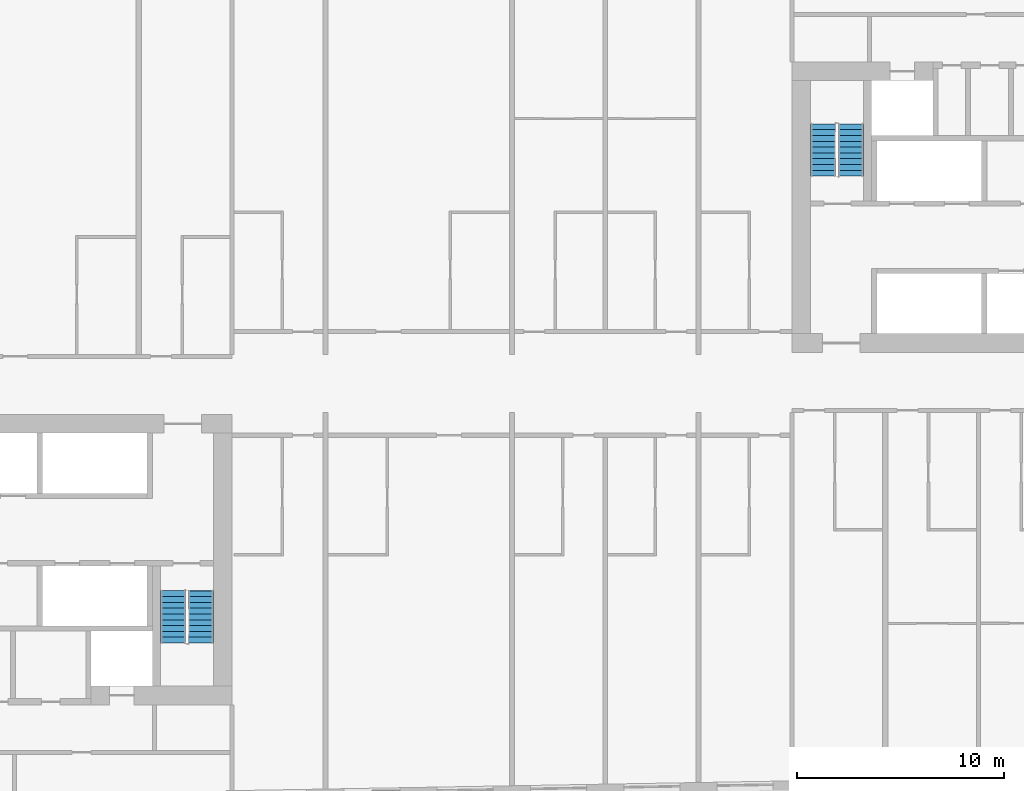
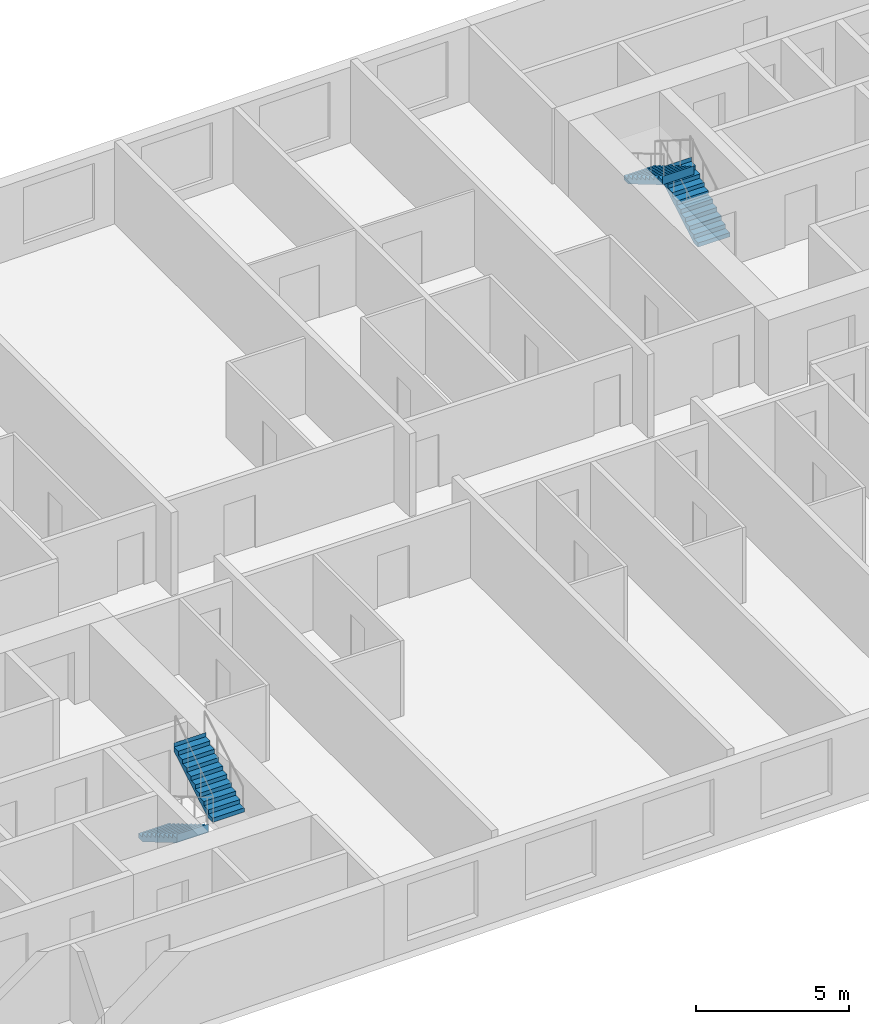
# One storey, part 10 of 12: 4 stair flights, 2 elements without a shape of their own.
"""IFC4 building model written with IfcOpenShell, lengths in metres."""

from ifc_helpers import new_model, si_unit, direction, frame, origin, place, context, subcontext, project, spatial, faceted_brep, material, type_object, element, aggregate, save


model = new_model("IFC4")

# Units and contexts
model_context = context("Model", 3, precision=1e-05, world=origin(), true_north=direction((0.0, 1.0)))
body_context = subcontext(model_context, "Body", "Model", "MODEL_VIEW")
ifc_project = project(units=[si_unit("LENGTHUNIT", "METRE"), si_unit("AREAUNIT", "SQUARE_METRE"), si_unit("VOLUMEUNIT", "CUBIC_METRE"), si_unit("PLANEANGLEUNIT", "RADIAN"), si_unit("MASSUNIT", "GRAM", prefix="KILO")], contexts=[model_context])

# Site, building, storey
site_placement = place(None, origin())
site = spatial("IfcSite", under=ifc_project, at=site_placement, CompositionType="ELEMENT")
building_placement = place(site_placement, origin())
building = spatial("IfcBuilding", under=site, at=building_placement, Name="Kajstack Hotel Tower", CompositionType="ELEMENT")
storey_placement = place(building_placement, frame((0.0, 0.0, 234.199951171875)))
storey = spatial("IfcBuildingStorey", under=building, at=storey_placement, Name="L57", CompositionType="ELEMENT", Elevation=234.199951171875)

# Stair, stair flights
ifc_material = material(Name="Concrete C40/50", Category="concrete")
stair_type = type_object("IfcStairType", Name="Exit stair 1200", PredefinedType="HALF_TURN_STAIR", material=ifc_material)
stair_1_placement = place(storey_placement, origin())
stair_1 = element("IfcStair", 1, at=stair_1_placement, inside=storey, type_object=stair_type, Name="L57 stair W2", PredefinedType="HALF_TURN_STAIR")
stair_flight_type = type_object("IfcStairFlightType", Name="Exit stair flight 1200", PredefinedType="STRAIGHT", material=ifc_material)
stair_flight_1_placement = place(storey_placement, frame((-16.35009765625, -10.0, 0.0), z_axis=(0.0, 0.0, 1.0), x_axis=(0.0, -1.0, 0.0)))
stair_flight_1 = element("IfcStairFlight", 2, at=stair_flight_1_placement, type_object=stair_flight_type, Name="W2 flight 1", NumberOfRisers=10, NumberOfTreads=9, PredefinedType="STRAIGHT", RiserHeight=0.165, TreadLength=0.28, context=body_context, shape_type="Brep", body=[
    faceted_brep([(0.295654296875, -0.60009765625, 0.0), (2.5205078125, -0.60009765625, 1.31103515625), (2.5205078125, -0.60009765625, 1.64990234375), (2.52001953125, -0.60009765625, 1.64990234375), (2.52001953125, -0.60009765625, 1.485107421875), (2.239990234375, -0.60009765625, 1.485107421875), (2.239990234375, -0.60009765625, 1.320068359375), (1.9599609375, -0.60009765625, 1.320068359375), (1.9599609375, -0.60009765625, 1.155029296875), (1.679931640625, -0.60009765625, 1.155029296875), (1.679931640625, -0.60009765625, 0.989990234375), (1.39990234375, -0.60009765625, 0.989990234375), (1.39990234375, -0.60009765625, 0.824951171875), (1.1201171875, -0.60009765625, 0.824951171875), (1.1201171875, -0.60009765625, 0.659912109375), (0.840087890625, -0.60009765625, 0.659912109375), (0.840087890625, -0.60009765625, 0.4951171875), (0.56005859375, -0.60009765625, 0.4951171875), (0.56005859375, -0.60009765625, 0.330078125), (0.280029296875, -0.60009765625, 0.330078125), (0.280029296875, -0.60009765625, 0.1650390625), (-0.00048828125, -0.60009765625, 0.1650390625), (-0.00048828125, -0.60009765625, 0.0), (-0.00048828125, 0.60009765625, 0.0), (-0.00048828125, 0.60009765625, 0.1650390625), (0.280029296875, 0.60009765625, 0.1650390625), (0.280029296875, 0.60009765625, 0.330078125), (0.56005859375, 0.60009765625, 0.330078125), (0.56005859375, 0.60009765625, 0.4951171875), (0.840087890625, 0.60009765625, 0.4951171875), (0.840087890625, 0.60009765625, 0.659912109375), (1.1201171875, 0.60009765625, 0.659912109375), (1.1201171875, 0.60009765625, 0.824951171875), (1.39990234375, 0.60009765625, 0.824951171875), (1.39990234375, 0.60009765625, 0.989990234375), (1.679931640625, 0.60009765625, 0.989990234375), (1.679931640625, 0.60009765625, 1.155029296875), (1.9599609375, 0.60009765625, 1.155029296875), (1.9599609375, 0.60009765625, 1.320068359375), (2.239990234375, 0.60009765625, 1.320068359375), (2.239990234375, 0.60009765625, 1.485107421875), (2.52001953125, 0.60009765625, 1.485107421875), (2.52001953125, 0.60009765625, 1.64990234375), (2.5205078125, 0.60009765625, 1.64990234375), (2.5205078125, 0.60009765625, 1.31103515625), (0.295654296875, 0.60009765625, 0.0), (-0.00048828125, -0.300048828125, 0.1650390625), (-0.00048828125, 0.0, 0.1650390625), (-0.00048828125, 0.300048828125, 0.1650390625), (-0.00048828125, 0.300048828125, 0.0), (-0.00048828125, 0.0, 0.0), (-0.00048828125, -0.300048828125, 0.0), (0.280029296875, -0.300048828125, 0.1650390625), (0.280029296875, 0.0, 0.1650390625), (0.280029296875, 0.300048828125, 0.1650390625), (0.280029296875, -0.300048828125, 0.330078125), (0.280029296875, 0.0, 0.330078125), (0.280029296875, 0.300048828125, 0.330078125), (0.56005859375, -0.300048828125, 0.330078125), (0.56005859375, 0.0, 0.330078125), (0.56005859375, 0.300048828125, 0.330078125), (0.56005859375, -0.300048828125, 0.4951171875), (0.56005859375, 0.0, 0.4951171875), (0.56005859375, 0.300048828125, 0.4951171875), (0.840087890625, -0.300048828125, 0.4951171875), (0.840087890625, 0.0, 0.4951171875), (0.840087890625, 0.300048828125, 0.4951171875), (0.840087890625, -0.300048828125, 0.659912109375), (0.840087890625, 0.0, 0.659912109375), (0.840087890625, 0.300048828125, 0.659912109375), (1.1201171875, -0.300048828125, 0.659912109375), (1.1201171875, 0.0, 0.659912109375), (1.1201171875, 0.300048828125, 0.659912109375), (1.1201171875, -0.300048828125, 0.824951171875), (1.1201171875, 0.0, 0.824951171875), (1.1201171875, 0.300048828125, 0.824951171875), (1.39990234375, -0.300048828125, 0.824951171875), (1.39990234375, 0.0, 0.824951171875), (1.39990234375, 0.300048828125, 0.824951171875), (1.39990234375, -0.300048828125, 0.989990234375), (1.39990234375, 0.0, 0.989990234375), (1.39990234375, 0.300048828125, 0.989990234375), (1.679931640625, -0.300048828125, 0.989990234375), (1.679931640625, 0.0, 0.989990234375), (1.679931640625, 0.300048828125, 0.989990234375), (1.679931640625, -0.300048828125, 1.155029296875), (1.679931640625, 0.0, 1.155029296875), (1.679931640625, 0.300048828125, 1.155029296875), (1.9599609375, -0.300048828125, 1.155029296875), (1.9599609375, 0.0, 1.155029296875), (1.9599609375, 0.300048828125, 1.155029296875), (1.9599609375, -0.300048828125, 1.320068359375), (1.9599609375, 0.0, 1.320068359375), (1.9599609375, 0.300048828125, 1.320068359375), (2.239990234375, -0.300048828125, 1.320068359375), (2.239990234375, 0.0, 1.320068359375), (2.239990234375, 0.300048828125, 1.320068359375), (2.239990234375, -0.300048828125, 1.485107421875), (2.239990234375, 0.0, 1.485107421875), (2.239990234375, 0.300048828125, 1.485107421875), (2.52001953125, -0.300048828125, 1.485107421875), (2.52001953125, 0.0, 1.485107421875), (2.52001953125, 0.300048828125, 1.485107421875), (2.52001953125, -0.300048828125, 1.64990234375), (2.52001953125, 0.0, 1.64990234375), (2.52001953125, 0.300048828125, 1.64990234375), (2.5205078125, -0.300048828125, 1.64990234375), (2.5205078125, 0.0, 1.64990234375), (2.5205078125, 0.300048828125, 1.64990234375), (2.5205078125, -0.300048828125, 1.31103515625), (2.5205078125, 0.0, 1.31103515625), (2.5205078125, 0.300048828125, 1.31103515625), (0.295654296875, -0.300048828125, 0.0), (0.295654296875, 0.0, 0.0), (0.295654296875, 0.300048828125, 0.0)], [[[0, 1, 2, 3, 4, 5, 6, 7, 8, 9, 10, 11, 12, 13, 14, 15, 16, 17, 18, 19, 20, 21, 22]], [[23, 24, 25, 26, 27, 28, 29, 30, 31, 32, 33, 34, 35, 36, 37, 38, 39, 40, 41, 42, 43, 44, 45]], [[21, 46, 47, 48, 24, 23, 49, 50, 51, 22]], [[20, 52, 53, 54, 25, 24, 48, 47, 46, 21]], [[19, 55, 56, 57, 26, 25, 54, 53, 52, 20]], [[18, 58, 59, 60, 27, 26, 57, 56, 55, 19]], [[17, 61, 62, 63, 28, 27, 60, 59, 58, 18]], [[16, 64, 65, 66, 29, 28, 63, 62, 61, 17]], [[15, 67, 68, 69, 30, 29, 66, 65, 64, 16]], [[14, 70, 71, 72, 31, 30, 69, 68, 67, 15]], [[13, 73, 74, 75, 32, 31, 72, 71, 70, 14]], [[12, 76, 77, 78, 33, 32, 75, 74, 73, 13]], [[11, 79, 80, 81, 34, 33, 78, 77, 76, 12]], [[10, 82, 83, 84, 35, 34, 81, 80, 79, 11]], [[9, 85, 86, 87, 36, 35, 84, 83, 82, 10]], [[8, 88, 89, 90, 37, 36, 87, 86, 85, 9]], [[7, 91, 92, 93, 38, 37, 90, 89, 88, 8]], [[6, 94, 95, 96, 39, 38, 93, 92, 91, 7]], [[5, 97, 98, 99, 40, 39, 96, 95, 94, 6]], [[4, 100, 101, 102, 41, 40, 99, 98, 97, 5]], [[3, 103, 104, 105, 42, 41, 102, 101, 100, 4]], [[2, 106, 107, 108, 43, 42, 105, 104, 103, 3]], [[1, 109, 110, 111, 44, 43, 108, 107, 106, 2]], [[0, 112, 113, 114, 45, 44, 111, 110, 109, 1]], [[22, 51, 50, 49, 23, 45, 114, 113, 112, 0]]]),
])
stair_flight_2_placement = place(storey_placement, frame((-15.0, -12.52001953125, 1.650146484375), z_axis=(0.0, 0.0, 1.0), x_axis=(0.0, 1.0, 0.0)))
stair_flight_2 = element("IfcStairFlight", 3, at=stair_flight_2_placement, type_object=stair_flight_type, Name="W2 flight 2", NumberOfRisers=10, NumberOfTreads=9, PredefinedType="STRAIGHT", RiserHeight=0.165, TreadLength=0.28, context=body_context, shape_type="Brep", body=[
    faceted_brep([(0.295654296875, -0.60009765625, 0.0), (2.5205078125, -0.60009765625, 1.31103515625), (2.5205078125, -0.60009765625, 1.64990234375), (2.52001953125, -0.60009765625, 1.64990234375), (2.52001953125, -0.60009765625, 1.485107421875), (2.239990234375, -0.60009765625, 1.485107421875), (2.239990234375, -0.60009765625, 1.320068359375), (1.9599609375, -0.60009765625, 1.320068359375), (1.9599609375, -0.60009765625, 1.155029296875), (1.679931640625, -0.60009765625, 1.155029296875), (1.679931640625, -0.60009765625, 0.989990234375), (1.39990234375, -0.60009765625, 0.989990234375), (1.39990234375, -0.60009765625, 0.824951171875), (1.1201171875, -0.60009765625, 0.824951171875), (1.1201171875, -0.60009765625, 0.659912109375), (0.840087890625, -0.60009765625, 0.659912109375), (0.840087890625, -0.60009765625, 0.4951171875), (0.56005859375, -0.60009765625, 0.4951171875), (0.56005859375, -0.60009765625, 0.330078125), (0.280029296875, -0.60009765625, 0.330078125), (0.280029296875, -0.60009765625, 0.1650390625), (-0.00048828125, -0.60009765625, 0.1650390625), (-0.00048828125, -0.60009765625, 0.0), (-0.00048828125, 0.60009765625, 0.0), (-0.00048828125, 0.60009765625, 0.1650390625), (0.280029296875, 0.60009765625, 0.1650390625), (0.280029296875, 0.60009765625, 0.330078125), (0.56005859375, 0.60009765625, 0.330078125), (0.56005859375, 0.60009765625, 0.4951171875), (0.840087890625, 0.60009765625, 0.4951171875), (0.840087890625, 0.60009765625, 0.659912109375), (1.1201171875, 0.60009765625, 0.659912109375), (1.1201171875, 0.60009765625, 0.824951171875), (1.39990234375, 0.60009765625, 0.824951171875), (1.39990234375, 0.60009765625, 0.989990234375), (1.679931640625, 0.60009765625, 0.989990234375), (1.679931640625, 0.60009765625, 1.155029296875), (1.9599609375, 0.60009765625, 1.155029296875), (1.9599609375, 0.60009765625, 1.320068359375), (2.239990234375, 0.60009765625, 1.320068359375), (2.239990234375, 0.60009765625, 1.485107421875), (2.52001953125, 0.60009765625, 1.485107421875), (2.52001953125, 0.60009765625, 1.64990234375), (2.5205078125, 0.60009765625, 1.64990234375), (2.5205078125, 0.60009765625, 1.31103515625), (0.295654296875, 0.60009765625, 0.0), (-0.00048828125, -0.300048828125, 0.1650390625), (-0.00048828125, 0.0, 0.1650390625), (-0.00048828125, 0.300048828125, 0.1650390625), (-0.00048828125, 0.300048828125, 0.0), (-0.00048828125, 0.0, 0.0), (-0.00048828125, -0.300048828125, 0.0), (0.280029296875, -0.300048828125, 0.1650390625), (0.280029296875, 0.0, 0.1650390625), (0.280029296875, 0.300048828125, 0.1650390625), (0.280029296875, -0.300048828125, 0.330078125), (0.280029296875, 0.0, 0.330078125), (0.280029296875, 0.300048828125, 0.330078125), (0.56005859375, -0.300048828125, 0.330078125), (0.56005859375, 0.0, 0.330078125), (0.56005859375, 0.300048828125, 0.330078125), (0.56005859375, -0.300048828125, 0.4951171875), (0.56005859375, 0.0, 0.4951171875), (0.56005859375, 0.300048828125, 0.4951171875), (0.840087890625, -0.300048828125, 0.4951171875), (0.840087890625, 0.0, 0.4951171875), (0.840087890625, 0.300048828125, 0.4951171875), (0.840087890625, -0.300048828125, 0.659912109375), (0.840087890625, 0.0, 0.659912109375), (0.840087890625, 0.300048828125, 0.659912109375), (1.1201171875, -0.300048828125, 0.659912109375), (1.1201171875, 0.0, 0.659912109375), (1.1201171875, 0.300048828125, 0.659912109375), (1.1201171875, -0.300048828125, 0.824951171875), (1.1201171875, 0.0, 0.824951171875), (1.1201171875, 0.300048828125, 0.824951171875), (1.39990234375, -0.300048828125, 0.824951171875), (1.39990234375, 0.0, 0.824951171875), (1.39990234375, 0.300048828125, 0.824951171875), (1.39990234375, -0.300048828125, 0.989990234375), (1.39990234375, 0.0, 0.989990234375), (1.39990234375, 0.300048828125, 0.989990234375), (1.679931640625, -0.300048828125, 0.989990234375), (1.679931640625, 0.0, 0.989990234375), (1.679931640625, 0.300048828125, 0.989990234375), (1.679931640625, -0.300048828125, 1.155029296875), (1.679931640625, 0.0, 1.155029296875), (1.679931640625, 0.300048828125, 1.155029296875), (1.9599609375, -0.300048828125, 1.155029296875), (1.9599609375, 0.0, 1.155029296875), (1.9599609375, 0.300048828125, 1.155029296875), (1.9599609375, -0.300048828125, 1.320068359375), (1.9599609375, 0.0, 1.320068359375), (1.9599609375, 0.300048828125, 1.320068359375), (2.239990234375, -0.300048828125, 1.320068359375), (2.239990234375, 0.0, 1.320068359375), (2.239990234375, 0.300048828125, 1.320068359375), (2.239990234375, -0.300048828125, 1.485107421875), (2.239990234375, 0.0, 1.485107421875), (2.239990234375, 0.300048828125, 1.485107421875), (2.52001953125, -0.300048828125, 1.485107421875), (2.52001953125, 0.0, 1.485107421875), (2.52001953125, 0.300048828125, 1.485107421875), (2.52001953125, -0.300048828125, 1.64990234375), (2.52001953125, 0.0, 1.64990234375), (2.52001953125, 0.300048828125, 1.64990234375), (2.5205078125, -0.300048828125, 1.64990234375), (2.5205078125, 0.0, 1.64990234375), (2.5205078125, 0.300048828125, 1.64990234375), (2.5205078125, -0.300048828125, 1.31103515625), (2.5205078125, 0.0, 1.31103515625), (2.5205078125, 0.300048828125, 1.31103515625), (0.295654296875, -0.300048828125, 0.0), (0.295654296875, 0.0, 0.0), (0.295654296875, 0.300048828125, 0.0)], [[[0, 1, 2, 3, 4, 5, 6, 7, 8, 9, 10, 11, 12, 13, 14, 15, 16, 17, 18, 19, 20, 21, 22]], [[23, 24, 25, 26, 27, 28, 29, 30, 31, 32, 33, 34, 35, 36, 37, 38, 39, 40, 41, 42, 43, 44, 45]], [[21, 46, 47, 48, 24, 23, 49, 50, 51, 22]], [[20, 52, 53, 54, 25, 24, 48, 47, 46, 21]], [[19, 55, 56, 57, 26, 25, 54, 53, 52, 20]], [[18, 58, 59, 60, 27, 26, 57, 56, 55, 19]], [[17, 61, 62, 63, 28, 27, 60, 59, 58, 18]], [[16, 64, 65, 66, 29, 28, 63, 62, 61, 17]], [[15, 67, 68, 69, 30, 29, 66, 65, 64, 16]], [[14, 70, 71, 72, 31, 30, 69, 68, 67, 15]], [[13, 73, 74, 75, 32, 31, 72, 71, 70, 14]], [[12, 76, 77, 78, 33, 32, 75, 74, 73, 13]], [[11, 79, 80, 81, 34, 33, 78, 77, 76, 12]], [[10, 82, 83, 84, 35, 34, 81, 80, 79, 11]], [[9, 85, 86, 87, 36, 35, 84, 83, 82, 10]], [[8, 88, 89, 90, 37, 36, 87, 86, 85, 9]], [[7, 91, 92, 93, 38, 37, 90, 89, 88, 8]], [[6, 94, 95, 96, 39, 38, 93, 92, 91, 7]], [[5, 97, 98, 99, 40, 39, 96, 95, 94, 6]], [[4, 100, 101, 102, 41, 40, 99, 98, 97, 5]], [[3, 103, 104, 105, 42, 41, 102, 101, 100, 4]], [[2, 106, 107, 108, 43, 42, 105, 104, 103, 3]], [[1, 109, 110, 111, 44, 43, 108, 107, 106, 2]], [[0, 112, 113, 114, 45, 44, 111, 110, 109, 1]], [[22, 51, 50, 49, 23, 45, 114, 113, 112, 0]]]),
])
aggregate(stair_1, [stair_flight_1, stair_flight_2])

stair_2_placement = place(storey_placement, origin())
stair_2 = element("IfcStair", 4, at=stair_2_placement, inside=storey, type_object=stair_type, Name="L57 stair E2", PredefinedType="HALF_TURN_STAIR")
stair_flight_3_placement = place(storey_placement, frame((16.35009765625, 10.0, 0.0), z_axis=(0.0, 0.0, 1.0), x_axis=(0.0, 1.0, 0.0)))
stair_flight_3 = element("IfcStairFlight", 5, at=stair_flight_3_placement, type_object=stair_flight_type, Name="E2 flight 1", NumberOfRisers=10, NumberOfTreads=9, PredefinedType="STRAIGHT", RiserHeight=0.165, TreadLength=0.28, context=body_context, shape_type="Brep", body=[
    faceted_brep([(0.295654296875, -0.60009765625, 0.0), (2.5205078125, -0.60009765625, 1.31103515625), (2.5205078125, -0.60009765625, 1.64990234375), (2.52001953125, -0.60009765625, 1.64990234375), (2.52001953125, -0.60009765625, 1.485107421875), (2.239990234375, -0.60009765625, 1.485107421875), (2.239990234375, -0.60009765625, 1.320068359375), (1.9599609375, -0.60009765625, 1.320068359375), (1.9599609375, -0.60009765625, 1.155029296875), (1.679931640625, -0.60009765625, 1.155029296875), (1.679931640625, -0.60009765625, 0.989990234375), (1.39990234375, -0.60009765625, 0.989990234375), (1.39990234375, -0.60009765625, 0.824951171875), (1.1201171875, -0.60009765625, 0.824951171875), (1.1201171875, -0.60009765625, 0.659912109375), (0.840087890625, -0.60009765625, 0.659912109375), (0.840087890625, -0.60009765625, 0.4951171875), (0.56005859375, -0.60009765625, 0.4951171875), (0.56005859375, -0.60009765625, 0.330078125), (0.280029296875, -0.60009765625, 0.330078125), (0.280029296875, -0.60009765625, 0.1650390625), (-0.00048828125, -0.60009765625, 0.1650390625), (-0.00048828125, -0.60009765625, 0.0), (-0.00048828125, 0.60009765625, 0.0), (-0.00048828125, 0.60009765625, 0.1650390625), (0.280029296875, 0.60009765625, 0.1650390625), (0.280029296875, 0.60009765625, 0.330078125), (0.56005859375, 0.60009765625, 0.330078125), (0.56005859375, 0.60009765625, 0.4951171875), (0.840087890625, 0.60009765625, 0.4951171875), (0.840087890625, 0.60009765625, 0.659912109375), (1.1201171875, 0.60009765625, 0.659912109375), (1.1201171875, 0.60009765625, 0.824951171875), (1.39990234375, 0.60009765625, 0.824951171875), (1.39990234375, 0.60009765625, 0.989990234375), (1.679931640625, 0.60009765625, 0.989990234375), (1.679931640625, 0.60009765625, 1.155029296875), (1.9599609375, 0.60009765625, 1.155029296875), (1.9599609375, 0.60009765625, 1.320068359375), (2.239990234375, 0.60009765625, 1.320068359375), (2.239990234375, 0.60009765625, 1.485107421875), (2.52001953125, 0.60009765625, 1.485107421875), (2.52001953125, 0.60009765625, 1.64990234375), (2.5205078125, 0.60009765625, 1.64990234375), (2.5205078125, 0.60009765625, 1.31103515625), (0.295654296875, 0.60009765625, 0.0), (-0.00048828125, -0.300048828125, 0.1650390625), (-0.00048828125, 0.0, 0.1650390625), (-0.00048828125, 0.300048828125, 0.1650390625), (-0.00048828125, 0.300048828125, 0.0), (-0.00048828125, 0.0, 0.0), (-0.00048828125, -0.300048828125, 0.0), (0.280029296875, -0.300048828125, 0.1650390625), (0.280029296875, 0.0, 0.1650390625), (0.280029296875, 0.300048828125, 0.1650390625), (0.280029296875, -0.300048828125, 0.330078125), (0.280029296875, 0.0, 0.330078125), (0.280029296875, 0.300048828125, 0.330078125), (0.56005859375, -0.300048828125, 0.330078125), (0.56005859375, 0.0, 0.330078125), (0.56005859375, 0.300048828125, 0.330078125), (0.56005859375, -0.300048828125, 0.4951171875), (0.56005859375, 0.0, 0.4951171875), (0.56005859375, 0.300048828125, 0.4951171875), (0.840087890625, -0.300048828125, 0.4951171875), (0.840087890625, 0.0, 0.4951171875), (0.840087890625, 0.300048828125, 0.4951171875), (0.840087890625, -0.300048828125, 0.659912109375), (0.840087890625, 0.0, 0.659912109375), (0.840087890625, 0.300048828125, 0.659912109375), (1.1201171875, -0.300048828125, 0.659912109375), (1.1201171875, 0.0, 0.659912109375), (1.1201171875, 0.300048828125, 0.659912109375), (1.1201171875, -0.300048828125, 0.824951171875), (1.1201171875, 0.0, 0.824951171875), (1.1201171875, 0.300048828125, 0.824951171875), (1.39990234375, -0.300048828125, 0.824951171875), (1.39990234375, 0.0, 0.824951171875), (1.39990234375, 0.300048828125, 0.824951171875), (1.39990234375, -0.300048828125, 0.989990234375), (1.39990234375, 0.0, 0.989990234375), (1.39990234375, 0.300048828125, 0.989990234375), (1.679931640625, -0.300048828125, 0.989990234375), (1.679931640625, 0.0, 0.989990234375), (1.679931640625, 0.300048828125, 0.989990234375), (1.679931640625, -0.300048828125, 1.155029296875), (1.679931640625, 0.0, 1.155029296875), (1.679931640625, 0.300048828125, 1.155029296875), (1.9599609375, -0.300048828125, 1.155029296875), (1.9599609375, 0.0, 1.155029296875), (1.9599609375, 0.300048828125, 1.155029296875), (1.9599609375, -0.300048828125, 1.320068359375), (1.9599609375, 0.0, 1.320068359375), (1.9599609375, 0.300048828125, 1.320068359375), (2.239990234375, -0.300048828125, 1.320068359375), (2.239990234375, 0.0, 1.320068359375), (2.239990234375, 0.300048828125, 1.320068359375), (2.239990234375, -0.300048828125, 1.485107421875), (2.239990234375, 0.0, 1.485107421875), (2.239990234375, 0.300048828125, 1.485107421875), (2.52001953125, -0.300048828125, 1.485107421875), (2.52001953125, 0.0, 1.485107421875), (2.52001953125, 0.300048828125, 1.485107421875), (2.52001953125, -0.300048828125, 1.64990234375), (2.52001953125, 0.0, 1.64990234375), (2.52001953125, 0.300048828125, 1.64990234375), (2.5205078125, -0.300048828125, 1.64990234375), (2.5205078125, 0.0, 1.64990234375), (2.5205078125, 0.300048828125, 1.64990234375), (2.5205078125, -0.300048828125, 1.31103515625), (2.5205078125, 0.0, 1.31103515625), (2.5205078125, 0.300048828125, 1.31103515625), (0.295654296875, -0.300048828125, 0.0), (0.295654296875, 0.0, 0.0), (0.295654296875, 0.300048828125, 0.0)], [[[0, 1, 2, 3, 4, 5, 6, 7, 8, 9, 10, 11, 12, 13, 14, 15, 16, 17, 18, 19, 20, 21, 22]], [[23, 24, 25, 26, 27, 28, 29, 30, 31, 32, 33, 34, 35, 36, 37, 38, 39, 40, 41, 42, 43, 44, 45]], [[21, 46, 47, 48, 24, 23, 49, 50, 51, 22]], [[20, 52, 53, 54, 25, 24, 48, 47, 46, 21]], [[19, 55, 56, 57, 26, 25, 54, 53, 52, 20]], [[18, 58, 59, 60, 27, 26, 57, 56, 55, 19]], [[17, 61, 62, 63, 28, 27, 60, 59, 58, 18]], [[16, 64, 65, 66, 29, 28, 63, 62, 61, 17]], [[15, 67, 68, 69, 30, 29, 66, 65, 64, 16]], [[14, 70, 71, 72, 31, 30, 69, 68, 67, 15]], [[13, 73, 74, 75, 32, 31, 72, 71, 70, 14]], [[12, 76, 77, 78, 33, 32, 75, 74, 73, 13]], [[11, 79, 80, 81, 34, 33, 78, 77, 76, 12]], [[10, 82, 83, 84, 35, 34, 81, 80, 79, 11]], [[9, 85, 86, 87, 36, 35, 84, 83, 82, 10]], [[8, 88, 89, 90, 37, 36, 87, 86, 85, 9]], [[7, 91, 92, 93, 38, 37, 90, 89, 88, 8]], [[6, 94, 95, 96, 39, 38, 93, 92, 91, 7]], [[5, 97, 98, 99, 40, 39, 96, 95, 94, 6]], [[4, 100, 101, 102, 41, 40, 99, 98, 97, 5]], [[3, 103, 104, 105, 42, 41, 102, 101, 100, 4]], [[2, 106, 107, 108, 43, 42, 105, 104, 103, 3]], [[1, 109, 110, 111, 44, 43, 108, 107, 106, 2]], [[0, 112, 113, 114, 45, 44, 111, 110, 109, 1]], [[22, 51, 50, 49, 23, 45, 114, 113, 112, 0]]]),
])
stair_flight_4_placement = place(storey_placement, frame((15.0, 12.52001953125, 1.650146484375), z_axis=(0.0, 0.0, 1.0), x_axis=(0.0, -1.0, 0.0)))
stair_flight_4 = element("IfcStairFlight", 6, at=stair_flight_4_placement, type_object=stair_flight_type, Name="E2 flight 2", NumberOfRisers=10, NumberOfTreads=9, PredefinedType="STRAIGHT", RiserHeight=0.165, TreadLength=0.28, context=body_context, shape_type="Brep", body=[
    faceted_brep([(0.295654296875, -0.60009765625, 0.0), (2.5205078125, -0.60009765625, 1.31103515625), (2.5205078125, -0.60009765625, 1.64990234375), (2.52001953125, -0.60009765625, 1.64990234375), (2.52001953125, -0.60009765625, 1.485107421875), (2.239990234375, -0.60009765625, 1.485107421875), (2.239990234375, -0.60009765625, 1.320068359375), (1.9599609375, -0.60009765625, 1.320068359375), (1.9599609375, -0.60009765625, 1.155029296875), (1.679931640625, -0.60009765625, 1.155029296875), (1.679931640625, -0.60009765625, 0.989990234375), (1.39990234375, -0.60009765625, 0.989990234375), (1.39990234375, -0.60009765625, 0.824951171875), (1.1201171875, -0.60009765625, 0.824951171875), (1.1201171875, -0.60009765625, 0.659912109375), (0.840087890625, -0.60009765625, 0.659912109375), (0.840087890625, -0.60009765625, 0.4951171875), (0.56005859375, -0.60009765625, 0.4951171875), (0.56005859375, -0.60009765625, 0.330078125), (0.280029296875, -0.60009765625, 0.330078125), (0.280029296875, -0.60009765625, 0.1650390625), (-0.00048828125, -0.60009765625, 0.1650390625), (-0.00048828125, -0.60009765625, 0.0), (-0.00048828125, 0.60009765625, 0.0), (-0.00048828125, 0.60009765625, 0.1650390625), (0.280029296875, 0.60009765625, 0.1650390625), (0.280029296875, 0.60009765625, 0.330078125), (0.56005859375, 0.60009765625, 0.330078125), (0.56005859375, 0.60009765625, 0.4951171875), (0.840087890625, 0.60009765625, 0.4951171875), (0.840087890625, 0.60009765625, 0.659912109375), (1.1201171875, 0.60009765625, 0.659912109375), (1.1201171875, 0.60009765625, 0.824951171875), (1.39990234375, 0.60009765625, 0.824951171875), (1.39990234375, 0.60009765625, 0.989990234375), (1.679931640625, 0.60009765625, 0.989990234375), (1.679931640625, 0.60009765625, 1.155029296875), (1.9599609375, 0.60009765625, 1.155029296875), (1.9599609375, 0.60009765625, 1.320068359375), (2.239990234375, 0.60009765625, 1.320068359375), (2.239990234375, 0.60009765625, 1.485107421875), (2.52001953125, 0.60009765625, 1.485107421875), (2.52001953125, 0.60009765625, 1.64990234375), (2.5205078125, 0.60009765625, 1.64990234375), (2.5205078125, 0.60009765625, 1.31103515625), (0.295654296875, 0.60009765625, 0.0), (-0.00048828125, -0.300048828125, 0.1650390625), (-0.00048828125, 0.0, 0.1650390625), (-0.00048828125, 0.300048828125, 0.1650390625), (-0.00048828125, 0.300048828125, 0.0), (-0.00048828125, 0.0, 0.0), (-0.00048828125, -0.300048828125, 0.0), (0.280029296875, -0.300048828125, 0.1650390625), (0.280029296875, 0.0, 0.1650390625), (0.280029296875, 0.300048828125, 0.1650390625), (0.280029296875, -0.300048828125, 0.330078125), (0.280029296875, 0.0, 0.330078125), (0.280029296875, 0.300048828125, 0.330078125), (0.56005859375, -0.300048828125, 0.330078125), (0.56005859375, 0.0, 0.330078125), (0.56005859375, 0.300048828125, 0.330078125), (0.56005859375, -0.300048828125, 0.4951171875), (0.56005859375, 0.0, 0.4951171875), (0.56005859375, 0.300048828125, 0.4951171875), (0.840087890625, -0.300048828125, 0.4951171875), (0.840087890625, 0.0, 0.4951171875), (0.840087890625, 0.300048828125, 0.4951171875), (0.840087890625, -0.300048828125, 0.659912109375), (0.840087890625, 0.0, 0.659912109375), (0.840087890625, 0.300048828125, 0.659912109375), (1.1201171875, -0.300048828125, 0.659912109375), (1.1201171875, 0.0, 0.659912109375), (1.1201171875, 0.300048828125, 0.659912109375), (1.1201171875, -0.300048828125, 0.824951171875), (1.1201171875, 0.0, 0.824951171875), (1.1201171875, 0.300048828125, 0.824951171875), (1.39990234375, -0.300048828125, 0.824951171875), (1.39990234375, 0.0, 0.824951171875), (1.39990234375, 0.300048828125, 0.824951171875), (1.39990234375, -0.300048828125, 0.989990234375), (1.39990234375, 0.0, 0.989990234375), (1.39990234375, 0.300048828125, 0.989990234375), (1.679931640625, -0.300048828125, 0.989990234375), (1.679931640625, 0.0, 0.989990234375), (1.679931640625, 0.300048828125, 0.989990234375), (1.679931640625, -0.300048828125, 1.155029296875), (1.679931640625, 0.0, 1.155029296875), (1.679931640625, 0.300048828125, 1.155029296875), (1.9599609375, -0.300048828125, 1.155029296875), (1.9599609375, 0.0, 1.155029296875), (1.9599609375, 0.300048828125, 1.155029296875), (1.9599609375, -0.300048828125, 1.320068359375), (1.9599609375, 0.0, 1.320068359375), (1.9599609375, 0.300048828125, 1.320068359375), (2.239990234375, -0.300048828125, 1.320068359375), (2.239990234375, 0.0, 1.320068359375), (2.239990234375, 0.300048828125, 1.320068359375), (2.239990234375, -0.300048828125, 1.485107421875), (2.239990234375, 0.0, 1.485107421875), (2.239990234375, 0.300048828125, 1.485107421875), (2.52001953125, -0.300048828125, 1.485107421875), (2.52001953125, 0.0, 1.485107421875), (2.52001953125, 0.300048828125, 1.485107421875), (2.52001953125, -0.300048828125, 1.64990234375), (2.52001953125, 0.0, 1.64990234375), (2.52001953125, 0.300048828125, 1.64990234375), (2.5205078125, -0.300048828125, 1.64990234375), (2.5205078125, 0.0, 1.64990234375), (2.5205078125, 0.300048828125, 1.64990234375), (2.5205078125, -0.300048828125, 1.31103515625), (2.5205078125, 0.0, 1.31103515625), (2.5205078125, 0.300048828125, 1.31103515625), (0.295654296875, -0.300048828125, 0.0), (0.295654296875, 0.0, 0.0), (0.295654296875, 0.300048828125, 0.0)], [[[0, 1, 2, 3, 4, 5, 6, 7, 8, 9, 10, 11, 12, 13, 14, 15, 16, 17, 18, 19, 20, 21, 22]], [[23, 24, 25, 26, 27, 28, 29, 30, 31, 32, 33, 34, 35, 36, 37, 38, 39, 40, 41, 42, 43, 44, 45]], [[21, 46, 47, 48, 24, 23, 49, 50, 51, 22]], [[20, 52, 53, 54, 25, 24, 48, 47, 46, 21]], [[19, 55, 56, 57, 26, 25, 54, 53, 52, 20]], [[18, 58, 59, 60, 27, 26, 57, 56, 55, 19]], [[17, 61, 62, 63, 28, 27, 60, 59, 58, 18]], [[16, 64, 65, 66, 29, 28, 63, 62, 61, 17]], [[15, 67, 68, 69, 30, 29, 66, 65, 64, 16]], [[14, 70, 71, 72, 31, 30, 69, 68, 67, 15]], [[13, 73, 74, 75, 32, 31, 72, 71, 70, 14]], [[12, 76, 77, 78, 33, 32, 75, 74, 73, 13]], [[11, 79, 80, 81, 34, 33, 78, 77, 76, 12]], [[10, 82, 83, 84, 35, 34, 81, 80, 79, 11]], [[9, 85, 86, 87, 36, 35, 84, 83, 82, 10]], [[8, 88, 89, 90, 37, 36, 87, 86, 85, 9]], [[7, 91, 92, 93, 38, 37, 90, 89, 88, 8]], [[6, 94, 95, 96, 39, 38, 93, 92, 91, 7]], [[5, 97, 98, 99, 40, 39, 96, 95, 94, 6]], [[4, 100, 101, 102, 41, 40, 99, 98, 97, 5]], [[3, 103, 104, 105, 42, 41, 102, 101, 100, 4]], [[2, 106, 107, 108, 43, 42, 105, 104, 103, 3]], [[1, 109, 110, 111, 44, 43, 108, 107, 106, 2]], [[0, 112, 113, 114, 45, 44, 111, 110, 109, 1]], [[22, 51, 50, 49, 23, 45, 114, 113, 112, 0]]]),
])
aggregate(stair_2, [stair_flight_3, stair_flight_4])

save(model, "model.ifc")
